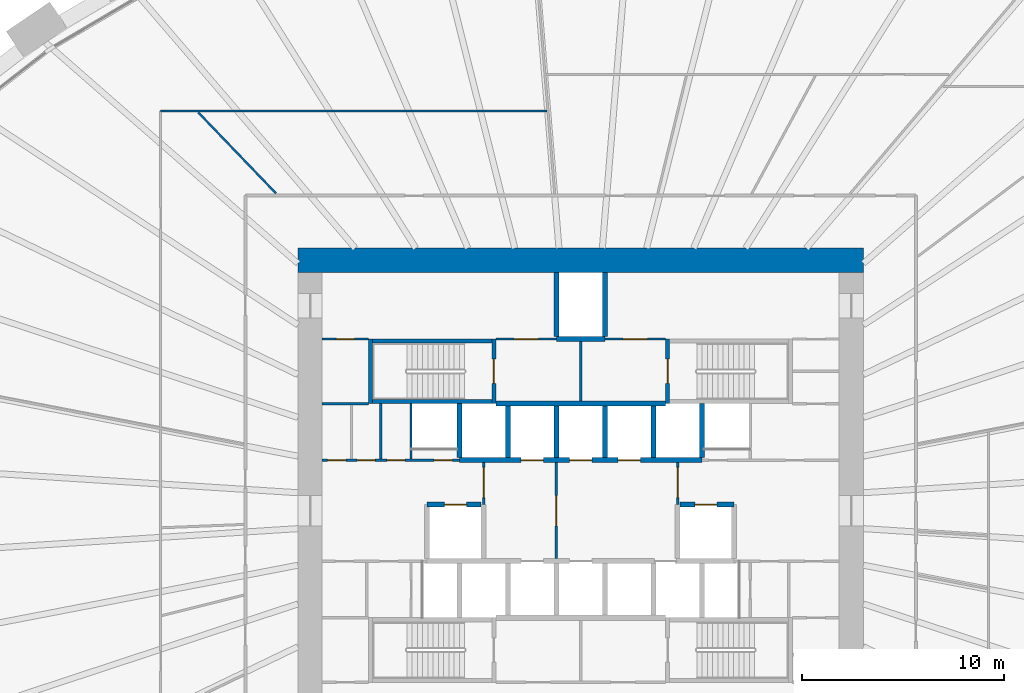
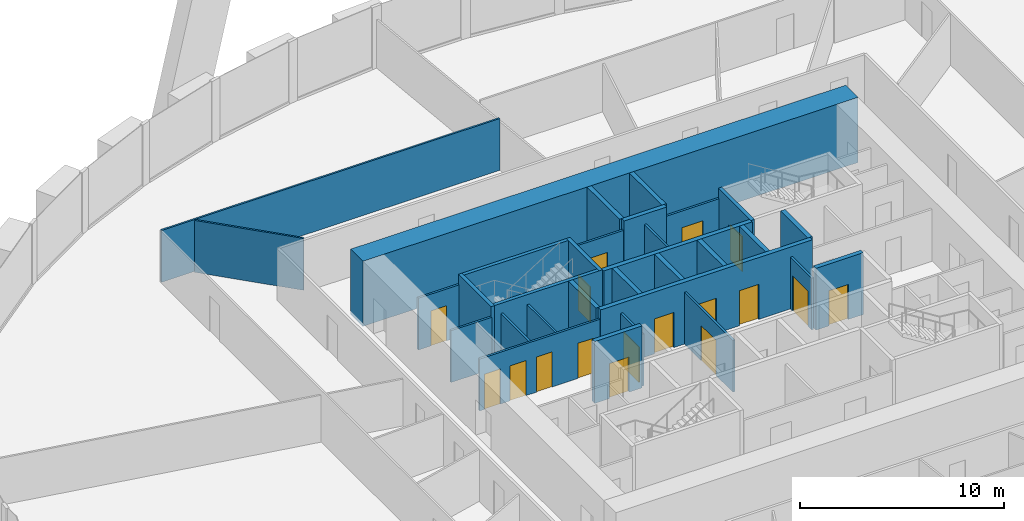
# One storey, part 8 of 11: 32 walls, 17 doors, 17 openings.
"""IFC4 building model written with IfcOpenShell, lengths in metres."""

from ifc_helpers import new_model, si_unit, direction, frame, frame_2d, origin, place, context, subcontext, project, spatial, rectangle, extrude, source, transform, mapped, material, layer, layer_set, type_object, element, fill, save


model = new_model("IFC4")

# Units and contexts
model_context = context("Model", 3, precision=1e-05, world=origin(), true_north=direction((0.0, 1.0)))
body_context = subcontext(model_context, "Body", "Model", "MODEL_VIEW")
ifc_project = project(units=[si_unit("LENGTHUNIT", "METRE"), si_unit("AREAUNIT", "SQUARE_METRE"), si_unit("VOLUMEUNIT", "CUBIC_METRE"), si_unit("PLANEANGLEUNIT", "RADIAN"), si_unit("MASSUNIT", "GRAM", prefix="KILO")], contexts=[model_context])

# Site, building, storey
site_placement = place(None, origin())
site = spatial("IfcSite", under=ifc_project, at=site_placement, CompositionType="ELEMENT")
building_placement = place(site_placement, origin())
building = spatial("IfcBuilding", under=site, at=building_placement, Name="Embergate Tower", CompositionType="ELEMENT")
storey_placement = place(building_placement, frame((0.0, 0.0, 73.699951171875)))
storey = spatial("IfcBuildingStorey", under=building, at=storey_placement, Name="L14", CompositionType="ELEMENT", Elevation=73.699951171875)

# Walls
ifc_material_1 = material(Name="Concrete C80", Category="concrete")
ifc_layer_1 = layer(ifc_material_1, 1.199951171875)
ifc_layer_set_1 = layer_set([ifc_layer_1], Name="Concrete C80")
wall_type_1 = type_object("IfcWallType", Name="Core outer wall C80 1200", PredefinedType="SHEAR", material=ifc_layer_set_1)
shared_shape_1 = source(origin(), body_context, "Body", "SweptSolid", [
    extrude(rectangle(XDim=28.0, YDim=1.199951171875, at=frame_2d((14.0, 0.0))), origin(), (0.0, 0.0, 1.0), 3.89990234375),
])
wall_1_placement = place(storey_placement, frame((-14.0, 12.39990234375, -0.199951171875), z_axis=(0.0, 0.0, 1.0), x_axis=(1.0, 0.0, 0.0)))
element("IfcWall", 1, at=wall_1_placement, inside=storey, type_object=wall_type_1, Name="CW-L14-N", PredefinedType="SHEAR", context=body_context, shape_type="MappedRepresentation", body=[
    mapped(shared_shape_1, transform((0.0, 0.0, 0.0))),
])
ifc_material_2 = material(Name="Concrete C50", Category="concrete")
ifc_layer_2 = layer(ifc_material_2, 0.25)
ifc_layer_set_2 = layer_set([ifc_layer_2], Name="Concrete C50")
wall_type_2 = type_object("IfcWallType", Name="Hoistway wall reinforced concrete 250", PredefinedType="SHEAR", material=ifc_layer_set_2)
shared_shape_2 = source(origin(), body_context, "Body", "SweptSolid", [
    extrude(rectangle(XDim=2.675048828125, YDim=0.25, at=frame_2d((1.33740234375, 0.0))), origin(), (0.0, 0.0, 1.0), 3.699951171875),
])
for number, where, z_axis, x_axis, name in (
    (2, (-6.0, 2.625, 0.0), (0.0, 0.0, 1.0), (0.0, 1.0, 0.0), "HW-1 wall"),
    (3, (6.0, 2.625, 0.0), (0.0, 0.0, 1.0), (0.0, 1.0, 0.0), "HW-1 wall"),
):
    element("IfcWall", number, at=place(storey_placement, frame(where, z_axis=z_axis, x_axis=x_axis)), inside=storey, type_object=wall_type_2, Name=name, PredefinedType="SHEAR", context=body_context, shape_type="MappedRepresentation", body=[
        mapped(shared_shape_2, transform((0.0, 0.0, 0.0))),
    ])

# Wall, opening, door
wall_2_placement = place(storey_placement, frame((-4.925048828125, 0.300048828125, 0.0), z_axis=(0.0, 0.0, 1.0), x_axis=(-1.0, 0.0, 0.0)))
wall_2 = element("IfcWall", 4, at=wall_2_placement, inside=storey, type_object=wall_type_2, Name="HW-1 wall", PredefinedType="SHEAR", context=body_context, shape_type="MappedRepresentation", body=[
    mapped(shared_shape_2, transform((0.0, 0.0, 0.0))),
])
shared_shape_3 = source(origin(), body_context, "Body", "SweptSolid", [
    extrude(rectangle(XDim=1.10009765625, YDim=2.10009765625, at=frame_2d((0.550048828125, 1.050048828125))), frame((0.0, 0.135009765625, 0.0), z_axis=(0.0, -1.0, 0.0), x_axis=(1.0, 0.0, 0.0)), (0.0, 0.0, 1.0), 0.27001953125),
])
opening_1_placement = place(wall_2_placement, frame((0.72509765625, 0.0, 0.0)))
opening_1 = element("IfcOpeningElement", 5, at=opening_1_placement, cuts=wall_2, Name="Opening LD", PredefinedType="OPENING", context=body_context, shape_type="MappedRepresentation", body=[
    mapped(shared_shape_3, transform((0.0, 0.0, 0.0))),
])
ifc_material_3 = material(Name="Landing door sliding 1100")
door_type_1 = type_object("IfcDoorType", Name="Landing door sliding 1100", OperationType="SLIDING_TO_LEFT", PredefinedType="DOOR", material=ifc_material_3)
shared_shape_4 = source(origin(), body_context, "Body", "SweptSolid", [
    extrude(rectangle(XDim=1.10009765625, YDim=2.10009765625, at=frame_2d((0.550048828125, 1.050048828125))), frame((0.0, 0.02490234375, 0.0), z_axis=(0.0, -1.0, 0.0), x_axis=(1.0, 0.0, 0.0)), (0.0, 0.0, 1.0), 0.050048828125),
])
door_1_placement = place(opening_1_placement, origin())
door_1 = element("IfcDoor", 6, at=door_1_placement, inside=storey, type_object=door_type_1, Name="LD door", OperationType="SLIDING_TO_LEFT", OverallHeight=2.10009765625, OverallWidth=1.10009765625, PredefinedType="DOOR", context=body_context, shape_type="MappedRepresentation", body=[
    mapped(shared_shape_4, transform((0.0, 0.0, 0.0))),
])
fill(opening_1, door_1)

wall_3_placement = place(storey_placement, frame((7.60009765625, 0.300048828125, 0.0), z_axis=(0.0, 0.0, 1.0), x_axis=(-1.0, 0.0, 0.0)))
wall_3 = element("IfcWall", 7, at=wall_3_placement, inside=storey, type_object=wall_type_2, Name="HW-1 wall", PredefinedType="SHEAR", context=body_context, shape_type="MappedRepresentation", body=[
    mapped(shared_shape_2, transform((0.0, 0.0, 0.0))),
])
opening_2_placement = place(wall_3_placement, frame((0.85009765625, 0.0, 0.0)))
opening_2 = element("IfcOpeningElement", 8, at=opening_2_placement, cuts=wall_3, Name="Opening LD", PredefinedType="OPENING", context=body_context, shape_type="MappedRepresentation", body=[
    mapped(shared_shape_3, transform((0.0, 0.0, 0.0))),
])
door_2_placement = place(opening_2_placement, origin())
door_2 = element("IfcDoor", 9, at=door_2_placement, inside=storey, type_object=door_type_1, Name="LD door", OperationType="SLIDING_TO_RIGHT", OverallHeight=2.10009765625, OverallWidth=1.10009765625, PredefinedType="DOOR", context=body_context, shape_type="MappedRepresentation", body=[
    mapped(shared_shape_4, transform((0.0, 0.0, 0.0))),
])
fill(opening_2, door_2)

# Wall, openings, doors
ifc_material_4 = material(Name="Core partition blockwork 120")
ifc_layer_3 = layer(ifc_material_4, 0.1201171875)
ifc_layer_set_3 = layer_set([ifc_layer_3], Name="Core partition blockwork 120")
wall_type_3 = type_object("IfcWallType", Name="Core partition blockwork 120", PredefinedType="PARTITIONING", material=ifc_layer_set_3)
shared_shape_5 = source(origin(), body_context, "Body", "SweptSolid", [
    extrude(rectangle(XDim=6.800048828125, YDim=0.1201171875, at=frame_2d((3.39990234375, 0.0))), origin(), (0.0, 0.0, 1.0), 3.10009765625),
])
wall_4_placement = place(storey_placement, frame((-12.800048828125, 2.5, 0.0), z_axis=(0.0, 0.0, 1.0), x_axis=(1.0, 0.0, 0.0)))
wall_4 = element("IfcWall", 10, at=wall_4_placement, inside=storey, type_object=wall_type_3, Name="IP-3 wall", PredefinedType="PARTITIONING", context=body_context, shape_type="MappedRepresentation", body=[
    mapped(shared_shape_5, transform((0.0, 0.0, 0.0))),
])
shared_shape_6 = source(origin(), body_context, "Body", "SweptSolid", [
    extrude(rectangle(XDim=0.89990234375, YDim=2.10009765625, at=frame_2d((0.449951171875, 1.050048828125))), frame((0.0, 0.070068359375, 0.0), z_axis=(0.0, -1.0, 0.0), x_axis=(1.0, 0.0, 0.0)), (0.0, 0.0, 1.0), 0.14013671875),
])
opening_3_placement = place(wall_4_placement, frame((5.550048828125, 0.0, 0.0)))
opening_3 = element("IfcOpeningElement", 11, at=opening_3_placement, cuts=wall_4, Name="Opening ID-1", PredefinedType="OPENING", context=body_context, shape_type="MappedRepresentation", body=[
    mapped(shared_shape_6, transform((0.0, 0.0, 0.0))),
])
opening_4_placement = place(wall_4_placement, frame((0.27587890625, 0.0, 0.0)))
opening_4 = element("IfcOpeningElement", 12, at=opening_4_placement, cuts=wall_4, Name="Opening ID-1", PredefinedType="OPENING", context=body_context, shape_type="MappedRepresentation", body=[
    mapped(shared_shape_6, transform((0.0, 0.0, 0.0))),
])
opening_5_placement = place(wall_4_placement, frame((1.72802734375, 0.0, 0.0)))
opening_5 = element("IfcOpeningElement", 13, at=opening_5_placement, cuts=wall_4, Name="Opening ID-1", PredefinedType="OPENING", context=body_context, shape_type="MappedRepresentation", body=[
    mapped(shared_shape_6, transform((0.0, 0.0, 0.0))),
])
opening_6_placement = place(wall_4_placement, frame((3.201904296875, 0.0, 0.0)))
opening_6 = element("IfcOpeningElement", 14, at=opening_6_placement, cuts=wall_4, Name="Opening ID-1", PredefinedType="OPENING", context=body_context, shape_type="MappedRepresentation", body=[
    mapped(shared_shape_6, transform((0.0, 0.0, 0.0))),
])
ifc_material_5 = material(Name="Interior door 900")
door_type_2 = type_object("IfcDoorType", Name="Interior door 900", OperationType="SINGLE_SWING_LEFT", PredefinedType="DOOR", material=ifc_material_5)
shared_shape_7 = source(origin(), body_context, "Body", "SweptSolid", [
    extrude(rectangle(XDim=0.89990234375, YDim=2.10009765625, at=frame_2d((0.449951171875, 1.050048828125))), frame((0.0, 0.02490234375, 0.0), z_axis=(0.0, -1.0, 0.0), x_axis=(1.0, 0.0, 0.0)), (0.0, 0.0, 1.0), 0.050048828125),
])
door_3_placement = place(opening_3_placement, origin())
door_3 = element("IfcDoor", 15, at=door_3_placement, inside=storey, type_object=door_type_2, Name="ID-1 door", OperationType="SINGLE_SWING_LEFT", OverallHeight=2.10009765625, OverallWidth=0.89990234375, PredefinedType="DOOR", context=body_context, shape_type="MappedRepresentation", body=[
    mapped(shared_shape_7, transform((0.0, 0.0, 0.0))),
])
fill(opening_3, door_3)
door_4_placement = place(opening_4_placement, origin())
door_4 = element("IfcDoor", 16, at=door_4_placement, inside=storey, type_object=door_type_2, Name="ID-1 door", OperationType="SINGLE_SWING_RIGHT", OverallHeight=2.10009765625, OverallWidth=0.89990234375, PredefinedType="DOOR", context=body_context, shape_type="MappedRepresentation", body=[
    mapped(shared_shape_7, transform((0.0, 0.0, 0.0))),
])
fill(opening_4, door_4)
door_5_placement = place(opening_5_placement, origin())
door_5 = element("IfcDoor", 17, at=door_5_placement, inside=storey, type_object=door_type_2, Name="ID-1 door", OperationType="SINGLE_SWING_RIGHT", OverallHeight=2.10009765625, OverallWidth=0.89990234375, PredefinedType="DOOR", context=body_context, shape_type="MappedRepresentation", body=[
    mapped(shared_shape_7, transform((0.0, 0.0, 0.0))),
])
fill(opening_5, door_5)
door_6_placement = place(opening_6_placement, origin())
door_6 = element("IfcDoor", 18, at=door_6_placement, inside=storey, type_object=door_type_2, Name="ID-1 door", OperationType="SINGLE_SWING_RIGHT", OverallHeight=2.10009765625, OverallWidth=0.89990234375, PredefinedType="DOOR", context=body_context, shape_type="MappedRepresentation", body=[
    mapped(shared_shape_7, transform((0.0, 0.0, 0.0))),
])
fill(opening_6, door_6)

# Walls
ifc_layer_4 = layer(ifc_material_2, 0.199951171875)
ifc_layer_set_4 = layer_set([ifc_layer_4], Name="Concrete C50")
wall_type_4 = type_object("IfcWallType", Name="Stair enclosure wall reinforced concrete 250", PredefinedType="SHEAR", material=ifc_layer_set_4)
shared_shape_8 = source(origin(), body_context, "Body", "SweptSolid", [
    extrude(rectangle(XDim=6.300048828125, YDim=0.199951171875, at=frame_2d((3.14990234375, 0.0))), origin(), (0.0, 0.0, 1.0), 3.699951171875),
])
for number, where, z_axis, x_axis, name in (
    (19, (-4.199951171875, 5.39990234375, 0.0), (0.0, 0.0, 1.0), (-1.0, 0.0, 0.0), "SE-1 wall"),
    (20, (-4.199951171875, 8.39990234375, 0.0), (0.0, 0.0, 1.0), (-1.0, 0.0, 0.0), "SE-1 wall"),
):
    element("IfcWall", number, at=place(storey_placement, frame(where, z_axis=z_axis, x_axis=x_axis)), inside=storey, type_object=wall_type_4, Name=name, PredefinedType="SHEAR", context=body_context, shape_type="MappedRepresentation", body=[
        mapped(shared_shape_8, transform((0.0, 0.0, 0.0))),
    ])
shared_shape_9 = source(origin(), body_context, "Body", "SweptSolid", [
    extrude(rectangle(XDim=2.739990234375, YDim=0.1201171875, at=frame_2d((1.3701171875, 0.0))), origin(), (0.0, 0.0, 1.0), 3.10009765625),
])
for number, where, z_axis, x_axis, name in (
    (21, (-8.39990234375, 5.300048828125, 0.0), (0.0, 0.0, 1.0), (0.0, -1.0, 0.0), "IP-3 wall"),
    (22, (-9.89599609375, 2.56005859375, 0.0), (0.0, 0.0, 1.0), (0.0, 1.0, 0.0), "IP-3 wall"),
):
    element("IfcWall", number, at=place(storey_placement, frame(where, z_axis=z_axis, x_axis=x_axis)), inside=storey, type_object=wall_type_3, Name=name, PredefinedType="PARTITIONING", context=body_context, shape_type="MappedRepresentation", body=[
        mapped(shared_shape_9, transform((0.0, 0.0, 0.0))),
    ])
shared_shape_10 = source(origin(), body_context, "Body", "SweptSolid", [
    extrude(rectangle(XDim=2.550048828125, YDim=0.25, at=frame_2d((1.27490234375, 0.0))), origin(), (0.0, 0.0, 1.0), 3.699951171875),
])
for number, where, z_axis, x_axis, name in (
    (23, (-3.60009765625, 2.625, 0.0), (0.0, 0.0, 1.0), (0.0, 1.0, 0.0), "HW-1 wall"),
    (24, (-1.199951171875, 2.625, 0.0), (0.0, 0.0, 1.0), (0.0, 1.0, 0.0), "HW-1 wall"),
    (25, (1.199951171875, 2.625, 0.0), (0.0, 0.0, 1.0), (0.0, 1.0, 0.0), "HW-1 wall"),
    (26, (3.60009765625, 2.625, 0.0), (0.0, 0.0, 1.0), (0.0, 1.0, 0.0), "HW-1 wall"),
):
    element("IfcWall", number, at=place(storey_placement, frame(where, z_axis=z_axis, x_axis=x_axis)), inside=storey, type_object=wall_type_2, Name=name, PredefinedType="SHEAR", context=body_context, shape_type="MappedRepresentation", body=[
        mapped(shared_shape_10, transform((0.0, 0.0, 0.0))),
    ])

# Wall, openings, doors
shared_shape_11 = source(origin(), body_context, "Body", "SweptSolid", [
    extrude(rectangle(XDim=12.0, YDim=0.25, at=frame_2d((6.0, 0.0))), origin(), (0.0, 0.0, 1.0), 3.699951171875),
])
wall_5_placement = place(storey_placement, frame((-6.0, 2.5, 0.0), z_axis=(0.0, 0.0, 1.0), x_axis=(1.0, 0.0, 0.0)))
wall_5 = element("IfcWall", 27, at=wall_5_placement, inside=storey, type_object=wall_type_2, Name="HW-1 wall", PredefinedType="SHEAR", context=body_context, shape_type="MappedRepresentation", body=[
    mapped(shared_shape_11, transform((0.0, 0.0, 0.0))),
])
opening_7_placement = place(wall_5_placement, frame((3.050048828125, 0.0, 0.0)))
opening_7 = element("IfcOpeningElement", 28, at=opening_7_placement, cuts=wall_5, Name="Opening LD", PredefinedType="OPENING", context=body_context, shape_type="MappedRepresentation", body=[
    mapped(shared_shape_3, transform((0.0, 0.0, 0.0))),
])
opening_8_placement = place(wall_5_placement, frame((5.449951171875, 0.0, 0.0)))
opening_8 = element("IfcOpeningElement", 29, at=opening_8_placement, cuts=wall_5, Name="Opening LD", PredefinedType="OPENING", context=body_context, shape_type="MappedRepresentation", body=[
    mapped(shared_shape_3, transform((0.0, 0.0, 0.0))),
])
opening_9_placement = place(wall_5_placement, frame((7.85009765625, 0.0, 0.0)))
opening_9 = element("IfcOpeningElement", 30, at=opening_9_placement, cuts=wall_5, Name="Opening LD", PredefinedType="OPENING", context=body_context, shape_type="MappedRepresentation", body=[
    mapped(shared_shape_3, transform((0.0, 0.0, 0.0))),
])
door_7_placement = place(opening_7_placement, origin())
door_7 = element("IfcDoor", 31, at=door_7_placement, inside=storey, type_object=door_type_1, Name="LD door", OperationType="SLIDING_TO_LEFT", OverallHeight=2.10009765625, OverallWidth=1.10009765625, PredefinedType="DOOR", context=body_context, shape_type="MappedRepresentation", body=[
    mapped(shared_shape_4, transform((0.0, 0.0, 0.0))),
])
fill(opening_7, door_7)
door_8_placement = place(opening_8_placement, origin())
door_8 = element("IfcDoor", 32, at=door_8_placement, inside=storey, type_object=door_type_1, Name="LD door", OperationType="SLIDING_TO_RIGHT", OverallHeight=2.10009765625, OverallWidth=1.10009765625, PredefinedType="DOOR", context=body_context, shape_type="MappedRepresentation", body=[
    mapped(shared_shape_4, transform((0.0, 0.0, 0.0))),
])
fill(opening_8, door_8)
door_9_placement = place(opening_9_placement, origin())
door_9 = element("IfcDoor", 33, at=door_9_placement, inside=storey, type_object=door_type_1, Name="LD door", OperationType="SLIDING_TO_RIGHT", OverallHeight=2.10009765625, OverallWidth=1.10009765625, PredefinedType="DOOR", context=body_context, shape_type="MappedRepresentation", body=[
    mapped(shared_shape_4, transform((0.0, 0.0, 0.0))),
])
fill(opening_9, door_9)

# Wall
shared_shape_12 = source(origin(), body_context, "Body", "SweptSolid", [
    extrude(rectangle(XDim=8.39990234375, YDim=0.25, at=frame_2d((4.199951171875, 0.0))), origin(), (0.0, 0.0, 1.0), 3.699951171875),
])
wall_6_placement = place(storey_placement, frame((4.199951171875, 5.300048828125, 0.0), z_axis=(0.0, 0.0, 1.0), x_axis=(-1.0, 0.0, 0.0)))
element("IfcWall", 34, at=wall_6_placement, inside=storey, type_object=wall_type_2, Name="HW-1 wall", PredefinedType="SHEAR", context=body_context, shape_type="MappedRepresentation", body=[
    mapped(shared_shape_12, transform((0.0, 0.0, 0.0))),
])

# Wall, opening, door
shared_shape_13 = source(origin(), body_context, "Body", "SweptSolid", [
    extrude(rectangle(XDim=4.75, YDim=0.1201171875, at=frame_2d((2.375, 0.0))), origin(), (0.0, 0.0, 1.0), 3.10009765625),
])
wall_7_placement = place(storey_placement, frame((-1.199951171875, -2.375, 0.0), z_axis=(0.0, 0.0, 1.0), x_axis=(0.0, 1.0, 0.0)))
wall_7 = element("IfcWall", 35, at=wall_7_placement, inside=storey, type_object=wall_type_3, Name="IP-3 wall", PredefinedType="PARTITIONING", context=body_context, shape_type="MappedRepresentation", body=[
    mapped(shared_shape_13, transform((0.0, 0.0, 0.0))),
])
shared_shape_14 = source(origin(), body_context, "Body", "SweptSolid", [
    extrude(rectangle(XDim=1.5, YDim=2.10009765625, at=frame_2d((0.75, 1.050048828125))), frame((0.0, 0.070068359375, 0.0), z_axis=(0.0, -1.0, 0.0), x_axis=(1.0, 0.0, 0.0)), (0.0, 0.0, 1.0), 0.14013671875),
])
opening_10_placement = place(wall_7_placement, frame((1.625, 0.0, 0.0)))
opening_10 = element("IfcOpeningElement", 36, at=opening_10_placement, cuts=wall_7, Name="Opening IF-3", PredefinedType="OPENING", context=body_context, shape_type="MappedRepresentation", body=[
    mapped(shared_shape_14, transform((0.0, 0.0, 0.0))),
])
ifc_material_6 = material(Name="Lobby fire door pair 1500")
door_type_3 = type_object("IfcDoorType", Name="Lobby fire door pair 1500", OperationType="DOUBLE_DOOR_SINGLE_SWING", PredefinedType="DOOR", material=ifc_material_6)
shared_shape_15 = source(origin(), body_context, "Body", "SweptSolid", [
    extrude(rectangle(XDim=1.5, YDim=2.10009765625, at=frame_2d((0.75, 1.050048828125))), frame((0.0, 0.02490234375, 0.0), z_axis=(0.0, -1.0, 0.0), x_axis=(1.0, 0.0, 0.0)), (0.0, 0.0, 1.0), 0.050048828125),
])
door_10_placement = place(opening_10_placement, origin())
door_10 = element("IfcDoor", 37, at=door_10_placement, inside=storey, type_object=door_type_3, Name="IF-3 door", OperationType="DOUBLE_DOOR_SINGLE_SWING", OverallHeight=2.10009765625, OverallWidth=1.5, PredefinedType="DOOR", context=body_context, shape_type="MappedRepresentation", body=[
    mapped(shared_shape_15, transform((0.0, 0.0, 0.0))),
])
fill(opening_10, door_10)

shared_shape_16 = source(origin(), body_context, "Body", "SweptSolid", [
    extrude(rectangle(XDim=2.074951171875, YDim=0.1201171875, at=frame_2d((1.03759765625, 0.0))), origin(), (0.0, 0.0, 1.0), 3.10009765625),
])
wall_8_placement = place(storey_placement, frame((-4.800048828125, 2.375, 0.0), z_axis=(0.0, 0.0, 1.0), x_axis=(0.0, -1.0, 0.0)))
wall_8 = element("IfcWall", 38, at=wall_8_placement, inside=storey, type_object=wall_type_3, Name="IP-3 wall", PredefinedType="PARTITIONING", context=body_context, shape_type="MappedRepresentation", body=[
    mapped(shared_shape_16, transform((0.0, 0.0, 0.0))),
])
opening_11_placement = place(wall_8_placement, frame((0.22509765625, 0.0, 0.0)))
opening_11 = element("IfcOpeningElement", 39, at=opening_11_placement, cuts=wall_8, Name="Opening IF-3", PredefinedType="OPENING", context=body_context, shape_type="MappedRepresentation", body=[
    mapped(shared_shape_14, transform((0.0, 0.0, 0.0))),
])
door_11_placement = place(opening_11_placement, origin())
door_11 = element("IfcDoor", 40, at=door_11_placement, inside=storey, type_object=door_type_3, Name="IF-3 door", OperationType="DOUBLE_DOOR_SINGLE_SWING", OverallHeight=2.10009765625, OverallWidth=1.5, PredefinedType="DOOR", context=body_context, shape_type="MappedRepresentation", body=[
    mapped(shared_shape_15, transform((0.0, 0.0, 0.0))),
])
fill(opening_11, door_11)

wall_9_placement = place(storey_placement, frame((4.800048828125, 0.300048828125, 0.0), z_axis=(0.0, 0.0, 1.0), x_axis=(0.0, 1.0, 0.0)))
wall_9 = element("IfcWall", 41, at=wall_9_placement, inside=storey, type_object=wall_type_3, Name="IP-3 wall", PredefinedType="PARTITIONING", context=body_context, shape_type="MappedRepresentation", body=[
    mapped(shared_shape_16, transform((0.0, 0.0, 0.0))),
])
opening_12_placement = place(wall_9_placement, frame((0.35009765625, 0.0, 0.0)))
opening_12 = element("IfcOpeningElement", 42, at=opening_12_placement, cuts=wall_9, Name="Opening IF-3", PredefinedType="OPENING", context=body_context, shape_type="MappedRepresentation", body=[
    mapped(shared_shape_14, transform((0.0, 0.0, 0.0))),
])
door_12_placement = place(opening_12_placement, origin())
door_12 = element("IfcDoor", 43, at=door_12_placement, inside=storey, type_object=door_type_3, Name="IF-3 door", OperationType="DOUBLE_DOOR_SINGLE_SWING", OverallHeight=2.10009765625, OverallWidth=1.5, PredefinedType="DOOR", context=body_context, shape_type="MappedRepresentation", body=[
    mapped(shared_shape_15, transform((0.0, 0.0, 0.0))),
])
fill(opening_12, door_12)

shared_shape_17 = source(origin(), body_context, "Body", "SweptSolid", [
    extrude(rectangle(XDim=3.199951171875, YDim=0.199951171875, at=frame_2d((1.60009765625, 0.0))), origin(), (0.0, 0.0, 1.0), 3.699951171875),
])
wall_10_placement = place(storey_placement, frame((-4.300048828125, 5.300048828125, 0.0), z_axis=(0.0, 0.0, 1.0), x_axis=(0.0, 1.0, 0.0)))
wall_10 = element("IfcWall", 44, at=wall_10_placement, inside=storey, type_object=wall_type_4, Name="SE-1 wall", PredefinedType="SHEAR", context=body_context, shape_type="MappedRepresentation", body=[
    mapped(shared_shape_17, transform((0.0, 0.0, 0.0))),
])
shared_shape_18 = source(origin(), body_context, "Body", "SweptSolid", [
    extrude(rectangle(XDim=1.199951171875, YDim=2.10009765625, at=frame_2d((0.60009765625, 1.050048828125))), frame((0.0, 0.10986328125, 0.0), z_axis=(0.0, -1.0, 0.0), x_axis=(1.0, 0.0, 0.0)), (0.0, 0.0, 1.0), 0.219970703125),
])
opening_13_placement = place(wall_10_placement, frame((1.0, 0.0, 0.0)))
opening_13 = element("IfcOpeningElement", 45, at=opening_13_placement, cuts=wall_10, Name="Opening IF-2", PredefinedType="OPENING", context=body_context, shape_type="MappedRepresentation", body=[
    mapped(shared_shape_18, transform((0.0, 0.0, 0.0))),
])
ifc_material_7 = material(Name="Stair enclosure door 1200")
door_type_4 = type_object("IfcDoorType", Name="Stair enclosure door 1200", OperationType="SINGLE_SWING_LEFT", PredefinedType="DOOR", material=ifc_material_7)
shared_shape_19 = source(origin(), body_context, "Body", "SweptSolid", [
    extrude(rectangle(XDim=1.199951171875, YDim=2.10009765625, at=frame_2d((0.60009765625, 1.050048828125))), frame((0.0, 0.02490234375, 0.0), z_axis=(0.0, -1.0, 0.0), x_axis=(1.0, 0.0, 0.0)), (0.0, 0.0, 1.0), 0.050048828125),
])
door_13_placement = place(opening_13_placement, origin())
door_13 = element("IfcDoor", 46, at=door_13_placement, inside=storey, type_object=door_type_4, Name="IF-2 door", OperationType="SINGLE_SWING_RIGHT", OverallHeight=2.10009765625, OverallWidth=1.199951171875, PredefinedType="DOOR", context=body_context, shape_type="MappedRepresentation", body=[
    mapped(shared_shape_19, transform((0.0, 0.0, 0.0))),
])
fill(opening_13, door_13)

# Wall
wall_11_placement = place(storey_placement, frame((-10.39990234375, 8.5, 0.0), z_axis=(0.0, 0.0, 1.0), x_axis=(0.0, -1.0, 0.0)))
element("IfcWall", 47, at=wall_11_placement, inside=storey, type_object=wall_type_4, Name="SE-1 wall", PredefinedType="SHEAR", context=body_context, shape_type="MappedRepresentation", body=[
    mapped(shared_shape_17, transform((0.0, 0.0, 0.0))),
])

# Wall, opening, door
wall_12_placement = place(storey_placement, frame((4.300048828125, 8.5, 0.0), z_axis=(0.0, 0.0, 1.0), x_axis=(0.0, -1.0, 0.0)))
wall_12 = element("IfcWall", 48, at=wall_12_placement, inside=storey, type_object=wall_type_4, Name="SE-1 wall", PredefinedType="SHEAR", context=body_context, shape_type="MappedRepresentation", body=[
    mapped(shared_shape_17, transform((0.0, 0.0, 0.0))),
])
opening_14_placement = place(wall_12_placement, frame((1.0, 0.0, 0.0)))
opening_14 = element("IfcOpeningElement", 49, at=opening_14_placement, cuts=wall_12, Name="Opening IF-2", PredefinedType="OPENING", context=body_context, shape_type="MappedRepresentation", body=[
    mapped(shared_shape_18, transform((0.0, 0.0, 0.0))),
])
door_14_placement = place(opening_14_placement, origin())
door_14 = element("IfcDoor", 50, at=door_14_placement, inside=storey, type_object=door_type_4, Name="IF-2 door", OperationType="SINGLE_SWING_RIGHT", OverallHeight=2.10009765625, OverallWidth=1.199951171875, PredefinedType="DOOR", context=body_context, shape_type="MappedRepresentation", body=[
    mapped(shared_shape_19, transform((0.0, 0.0, 0.0))),
])
fill(opening_14, door_14)

# Wall
shared_shape_20 = source(origin(), body_context, "Body", "SweptSolid", [
    extrude(rectangle(XDim=2.949951171875, YDim=0.1201171875, at=frame_2d((1.47509765625, 0.0))), origin(), (0.0, 0.0, 1.0), 3.10009765625),
])
wall_13_placement = place(storey_placement, frame((0.0, 5.425048828125, 0.0), z_axis=(0.0, 0.0, 1.0), x_axis=(0.0, 1.0, 0.0)))
element("IfcWall", 51, at=wall_13_placement, inside=storey, type_object=wall_type_3, Name="IP-3 wall", PredefinedType="PARTITIONING", context=body_context, shape_type="MappedRepresentation", body=[
    mapped(shared_shape_20, transform((0.0, 0.0, 0.0))),
])

# Wall, opening, door
shared_shape_21 = source(origin(), body_context, "Body", "SweptSolid", [
    extrude(rectangle(XDim=3.0, YDim=0.1201171875, at=frame_2d((1.5, 0.0))), origin(), (0.0, 0.0, 1.0), 3.10009765625),
])
wall_14_placement = place(storey_placement, frame((-1.199951171875, 8.5, 0.0), z_axis=(0.0, 0.0, 1.0), x_axis=(-1.0, 0.0, 0.0)))
wall_14 = element("IfcWall", 52, at=wall_14_placement, inside=storey, type_object=wall_type_3, Name="IP-3 wall", PredefinedType="PARTITIONING", context=body_context, shape_type="MappedRepresentation", body=[
    mapped(shared_shape_21, transform((0.0, 0.0, 0.0))),
])
shared_shape_22 = source(origin(), body_context, "Body", "SweptSolid", [
    extrude(rectangle(XDim=1.199951171875, YDim=2.10009765625, at=frame_2d((0.60009765625, 1.050048828125))), frame((0.0, 0.070068359375, 0.0), z_axis=(0.0, -1.0, 0.0), x_axis=(1.0, 0.0, 0.0)), (0.0, 0.0, 1.0), 0.14013671875),
])
opening_15_placement = place(wall_14_placement, frame((0.89990234375, 0.0, 0.0)))
opening_15 = element("IfcOpeningElement", 53, at=opening_15_placement, cuts=wall_14, Name="Opening IF-3f", PredefinedType="OPENING", context=body_context, shape_type="MappedRepresentation", body=[
    mapped(shared_shape_22, transform((0.0, 0.0, 0.0))),
])
ifc_material_8 = material(Name="Lobby fire door pair 1200")
door_type_5 = type_object("IfcDoorType", Name="Lobby fire door pair 1200", OperationType="DOUBLE_DOOR_SINGLE_SWING", PredefinedType="DOOR", material=ifc_material_8)
door_15_placement = place(opening_15_placement, origin())
door_15 = element("IfcDoor", 54, at=door_15_placement, inside=storey, type_object=door_type_5, Name="IF-3 door", OperationType="DOUBLE_DOOR_SINGLE_SWING", OverallHeight=2.10009765625, OverallWidth=1.199951171875, PredefinedType="DOOR", context=body_context, shape_type="MappedRepresentation", body=[
    mapped(shared_shape_19, transform((0.0, 0.0, 0.0))),
])
fill(opening_15, door_15)

wall_15_placement = place(storey_placement, frame((4.199951171875, 8.5, 0.0), z_axis=(0.0, 0.0, 1.0), x_axis=(-1.0, 0.0, 0.0)))
wall_15 = element("IfcWall", 55, at=wall_15_placement, inside=storey, type_object=wall_type_3, Name="IP-3 wall", PredefinedType="PARTITIONING", context=body_context, shape_type="MappedRepresentation", body=[
    mapped(shared_shape_21, transform((0.0, 0.0, 0.0))),
])
opening_16_placement = place(wall_15_placement, frame((0.89990234375, 0.0, 0.0)))
opening_16 = element("IfcOpeningElement", 56, at=opening_16_placement, cuts=wall_15, Name="Opening IF-3f", PredefinedType="OPENING", context=body_context, shape_type="MappedRepresentation", body=[
    mapped(shared_shape_22, transform((0.0, 0.0, 0.0))),
])
door_16_placement = place(opening_16_placement, origin())
door_16 = element("IfcDoor", 57, at=door_16_placement, inside=storey, type_object=door_type_5, Name="IF-3 door", OperationType="DOUBLE_DOOR_SINGLE_SWING", OverallHeight=2.10009765625, OverallWidth=1.199951171875, PredefinedType="DOOR", context=body_context, shape_type="MappedRepresentation", body=[
    mapped(shared_shape_19, transform((0.0, 0.0, 0.0))),
])
fill(opening_16, door_16)

# Walls
shared_shape_23 = source(origin(), body_context, "Body", "SweptSolid", [
    extrude(rectangle(XDim=2.39990234375, YDim=0.25, at=frame_2d((1.199951171875, 0.0))), origin(), (0.0, 0.0, 1.0), 3.699951171875),
])
wall_16_placement = place(storey_placement, frame((1.199951171875, 8.5, 0.0), z_axis=(0.0, 0.0, 1.0), x_axis=(-1.0, 0.0, 0.0)))
element("IfcWall", 58, at=wall_16_placement, inside=storey, type_object=wall_type_2, Name="HW-1 wall", PredefinedType="SHEAR", context=body_context, shape_type="MappedRepresentation", body=[
    mapped(shared_shape_23, transform((0.0, 0.0, 0.0))),
])
shared_shape_24 = source(origin(), body_context, "Body", "SweptSolid", [
    extrude(rectangle(XDim=3.175048828125, YDim=0.25, at=frame_2d((1.58740234375, 0.0))), origin(), (0.0, 0.0, 1.0), 3.699951171875),
])
for number, where, z_axis, x_axis, name in (
    (59, (-1.199951171875, 8.625, 0.0), (0.0, 0.0, 1.0), (0.0, 1.0, 0.0), "HW-1 wall"),
    (60, (1.199951171875, 11.800048828125, 0.0), (0.0, 0.0, 1.0), (0.0, -1.0, 0.0), "HW-1 wall"),
):
    element("IfcWall", number, at=place(storey_placement, frame(where, z_axis=z_axis, x_axis=x_axis)), inside=storey, type_object=wall_type_2, Name=name, PredefinedType="SHEAR", context=body_context, shape_type="MappedRepresentation", body=[
        mapped(shared_shape_24, transform((0.0, 0.0, 0.0))),
    ])

# Wall, opening, door
shared_shape_25 = source(origin(), body_context, "Body", "SweptSolid", [
    extrude(rectangle(XDim=2.300048828125, YDim=0.1201171875, at=frame_2d((1.14990234375, 0.0))), origin(), (0.0, 0.0, 1.0), 3.10009765625),
])
wall_17_placement = place(storey_placement, frame((-12.800048828125, 8.5, 0.0), z_axis=(0.0, 0.0, 1.0), x_axis=(1.0, 0.0, 0.0)))
wall_17 = element("IfcWall", 61, at=wall_17_placement, inside=storey, type_object=wall_type_3, Name="IP-3 wall", PredefinedType="PARTITIONING", context=body_context, shape_type="MappedRepresentation", body=[
    mapped(shared_shape_25, transform((0.0, 0.0, 0.0))),
])
opening_17_placement = place(wall_17_placement, frame((0.699951171875, 0.0, 0.0)))
opening_17 = element("IfcOpeningElement", 62, at=opening_17_placement, cuts=wall_17, Name="Opening ID-1", PredefinedType="OPENING", context=body_context, shape_type="MappedRepresentation", body=[
    mapped(shared_shape_6, transform((0.0, 0.0, 0.0))),
])
door_17_placement = place(opening_17_placement, origin())
door_17 = element("IfcDoor", 63, at=door_17_placement, inside=storey, type_object=door_type_2, Name="ID-1 door", OperationType="SINGLE_SWING_RIGHT", OverallHeight=2.10009765625, OverallWidth=0.89990234375, PredefinedType="DOOR", context=body_context, shape_type="MappedRepresentation", body=[
    mapped(shared_shape_7, transform((0.0, 0.0, 0.0))),
])
fill(opening_17, door_17)

# Walls
wall_18_placement = place(storey_placement, frame((-10.5, 5.300048828125, 0.0), z_axis=(0.0, 0.0, 1.0), x_axis=(-1.0, 0.0, 0.0)))
element("IfcWall", 64, at=wall_18_placement, inside=storey, type_object=wall_type_3, Name="IP-3 wall", PredefinedType="PARTITIONING", context=body_context, shape_type="MappedRepresentation", body=[
    mapped(shared_shape_25, transform((0.0, 0.0, 0.0))),
])
ifc_material_9 = material(Name="Partition dry-lined 100")
ifc_layer_5 = layer(ifc_material_9, 0.10009765625)
ifc_layer_set_5 = layer_set([ifc_layer_5], Name="Partition dry-lined 100")
wall_type_5 = type_object("IfcWallType", Name="Partition dry-lined 100", PredefinedType="PARTITIONING", material=ifc_layer_set_5)
shared_shape_26 = source(origin(), body_context, "Body", "SweptSolid", [
    extrude(rectangle(XDim=5.552734375, YDim=0.10009765625, at=frame_2d((2.7763671875, 0.0))), origin(), (0.0, 0.0, 1.0), 3.10009765625),
])
wall_19_placement = place(storey_placement, frame((-15.083984375, 15.7099609375, 0.0), z_axis=(0.0, 0.0, 1.0), x_axis=(-0.692627921964, 0.721295058707, 0.0)))
element("IfcWall", 65, at=wall_19_placement, inside=storey, type_object=wall_type_5, Name="IP-1 wall", PredefinedType="PARTITIONING", context=body_context, shape_type="MappedRepresentation", body=[
    mapped(shared_shape_26, transform((0.0, 0.0, 0.0))),
])
shared_shape_27 = source(origin(), body_context, "Body", "SweptSolid", [
    extrude(rectangle(XDim=19.131103515625, YDim=0.10009765625, at=frame_2d((9.5654296875, 0.0))), origin(), (0.0, 0.0, 1.0), 3.10009765625),
])
wall_20_placement = place(storey_placement, frame((-1.6689453125, 19.800048828125, 0.0), z_axis=(0.0, 0.0, 1.0), x_axis=(-1.0, 0.0, 0.0)))
element("IfcWall", 66, at=wall_20_placement, inside=storey, type_object=wall_type_5, Name="IP-1 wall", PredefinedType="PARTITIONING", context=body_context, shape_type="MappedRepresentation", body=[
    mapped(shared_shape_27, transform((0.0, 0.0, 0.0))),
])

save(model, "model.ifc")
